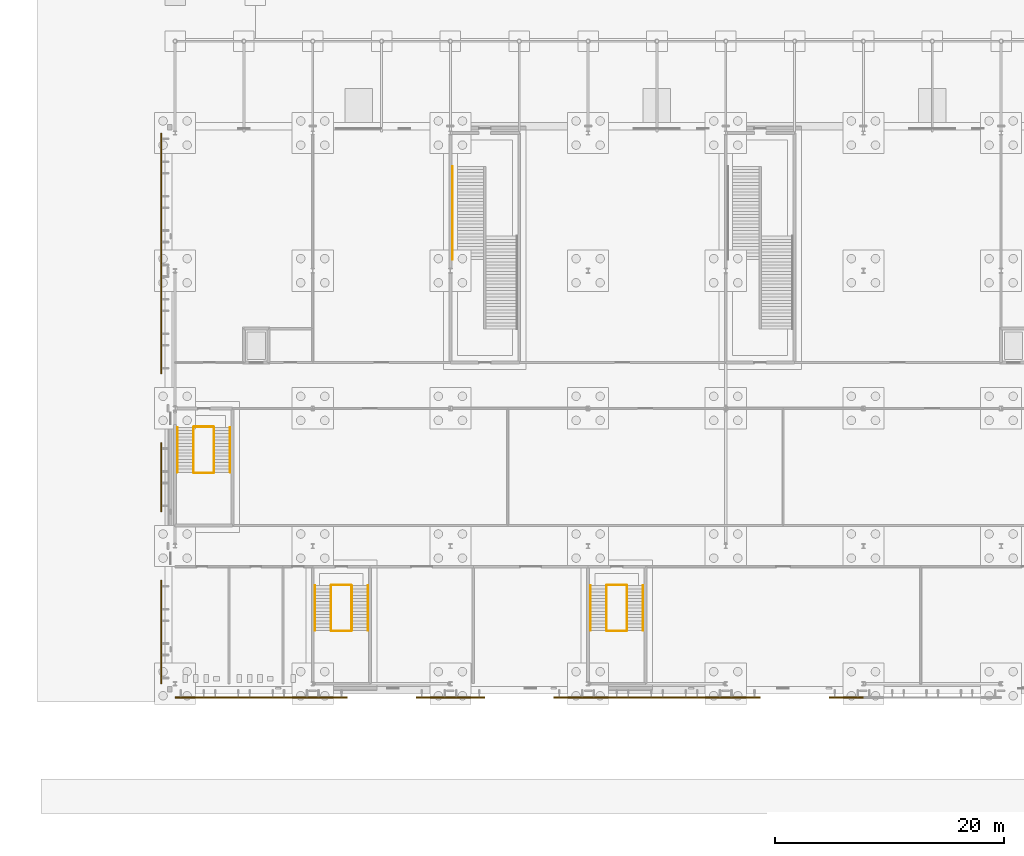
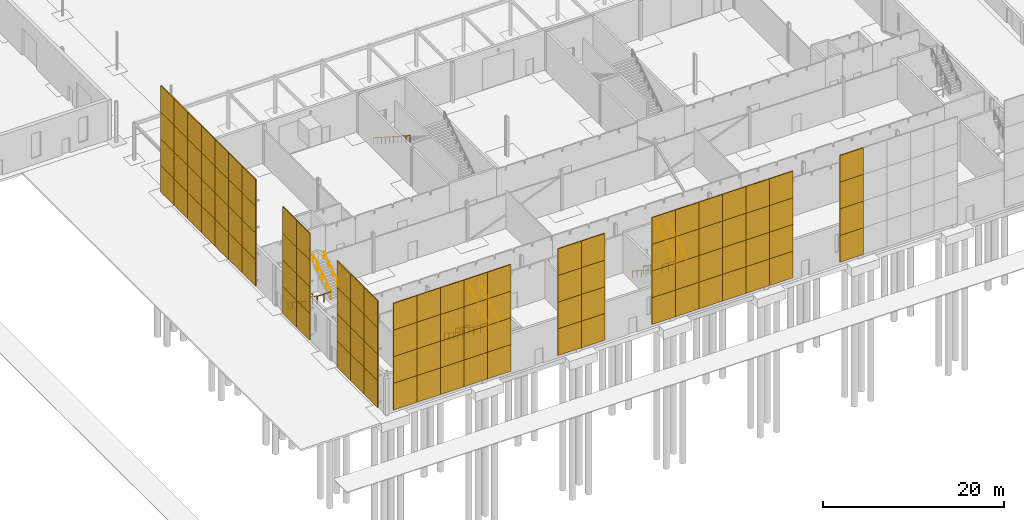
# One storey, part 122 of 132: 104 shading devices, 19 railings.
"""IFC4 building model written with IfcOpenShell, lengths in metres."""

from ifc_helpers import new_model, si_unit, direction, frame, origin, origin_2d, place, context, subcontext, project, spatial, rectangle, circle, extrude, material, layer, layer_set, type_object, element, save


model = new_model("IFC4")

# Units and contexts
model_context = context("Model", 3, precision=1e-05, world=origin(), true_north=direction((0.0, 1.0)))
body_context = subcontext(model_context, "Body", "Model", "MODEL_VIEW")
ifc_project = project(units=[si_unit("LENGTHUNIT", "METRE"), si_unit("AREAUNIT", "SQUARE_METRE"), si_unit("VOLUMEUNIT", "CUBIC_METRE"), si_unit("PLANEANGLEUNIT", "RADIAN"), si_unit("MASSUNIT", "GRAM", prefix="KILO")], contexts=[model_context])

# Site, building, storey
site_placement = place(None, origin())
site = spatial("IfcSite", under=ifc_project, at=site_placement, CompositionType="ELEMENT")
building_placement = place(site_placement, origin())
building = spatial("IfcBuilding", under=site, at=building_placement, Name="Ravi Spectrum Wholesale Market", CompositionType="ELEMENT")
storey_placement = place(building_placement, origin())
storey = spatial("IfcBuildingStorey", under=building, at=storey_placement, Name="L00", CompositionType="ELEMENT", Elevation=0.0)

# Railings
ifc_material_1 = material(Name="Steel S355", Category="steel")
railing_type_1 = type_object("IfcRailingType", Name="Guard 1100", PredefinedType="GUARDRAIL", material=ifc_material_1)
railing_1_placement = place(storey_placement, frame((199.60009765625, 40.35009765625, 0.179931640625)))
element("IfcRailing", 1, at=railing_1_placement, inside=storey, type_object=railing_type_1, Name="L00 S-CS-1 stair guard 1", PredefinedType="GUARDRAIL", context=body_context, shape_type="SweptSolid", body=[
    extrude(circle(Radius=0.02392578125, at=origin_2d()), frame((0.0, 0.0, 1.076171875), z_axis=(0.0, -0.841186985886, 0.540744352514), x_axis=(1.0, 0.0, 0.0)), (0.0, 0.0, 1.0), 4.660400390625),
    extrude(circle(Radius=0.02099609375, at=origin_2d()), origin(), (0.0, 0.0, 1.0), 1.052001953125),
    extrude(circle(Radius=0.02099609375, at=origin_2d()), frame((0.0, -0.97998046875, 0.6298828125)), (0.0, 0.0, 1.0), 1.052001953125),
    extrude(circle(Radius=0.02099609375, at=origin_2d()), frame((0.0, -1.9599609375, 1.260009765625)), (0.0, 0.0, 1.0), 1.052001953125),
    extrude(circle(Radius=0.02099609375, at=origin_2d()), frame((0.0, -2.940185546875, 1.89013671875)), (0.0, 0.0, 1.0), 1.052001953125),
    extrude(circle(Radius=0.02099609375, at=origin_2d()), frame((0.0, -3.920166015625, 2.52001953125)), (0.0, 0.0, 1.0), 1.052001953125),
])
railing_2_placement = place(storey_placement, frame((199.64990234375, 36.3798828125, 2.699951171875)))
element("IfcRailing", 2, at=railing_2_placement, inside=storey, type_object=railing_type_1, Name="L00 S-CS-1 stair guard 2", PredefinedType="GUARDRAIL", context=body_context, shape_type="SweptSolid", body=[
    extrude(circle(Radius=0.02392578125, at=origin_2d()), frame((0.0, 0.0, 1.076171875), z_axis=(1.0, 0.0, 0.0), x_axis=(0.0, 1.0, 0.0)), (0.0, 0.0, 1.0), 1.7001953125),
    extrude(circle(Radius=0.02099609375, at=origin_2d()), origin(), (0.0, 0.0, 1.0), 1.052001953125),
    extrude(circle(Radius=0.02099609375, at=origin_2d()), frame((0.85009765625, 0.0, 0.0)), (0.0, 0.0, 1.0), 1.052001953125),
    extrude(circle(Radius=0.02099609375, at=origin_2d()), frame((1.7001953125, 0.0, 0.0)), (0.0, 0.0, 1.0), 1.052001953125),
])
railing_3_placement = place(storey_placement, frame((201.39990234375, 36.429931640625, 2.8798828125)))
element("IfcRailing", 3, at=railing_3_placement, inside=storey, type_object=railing_type_1, Name="L00 S-CS-1 stair guard 3", PredefinedType="GUARDRAIL", context=body_context, shape_type="SweptSolid", body=[
    extrude(circle(Radius=0.02392578125, at=origin_2d()), frame((0.0, 0.0, 1.076171875), z_axis=(0.0, 0.841186985886, 0.540744352514), x_axis=(-1.0, 0.0, 0.0)), (0.0, 0.0, 1.0), 4.660400390625),
    extrude(circle(Radius=0.02099609375, at=origin_2d()), origin(), (0.0, 0.0, 1.0), 1.052001953125),
    extrude(circle(Radius=0.02099609375, at=origin_2d()), frame((0.0, 0.97998046875, 0.6298828125)), (0.0, 0.0, 1.0), 1.052001953125),
    extrude(circle(Radius=0.02099609375, at=origin_2d()), frame((0.0, 1.9599609375, 1.260009765625)), (0.0, 0.0, 1.0), 1.052001953125),
    extrude(circle(Radius=0.02099609375, at=origin_2d()), frame((0.0, 2.940185546875, 1.89013671875)), (0.0, 0.0, 1.0), 1.052001953125),
    extrude(circle(Radius=0.02099609375, at=origin_2d()), frame((0.0, 3.920166015625, 2.52001953125)), (0.0, 0.0, 1.0), 1.052001953125),
])
railing_4_placement = place(storey_placement, frame((199.64990234375, 40.39990234375, 0.0)))
element("IfcRailing", 4, at=railing_4_placement, inside=storey, type_object=railing_type_1, Name="L00 S-CS-1 stair guard 4", PredefinedType="GUARDRAIL", context=body_context, shape_type="SweptSolid", body=[
    extrude(circle(Radius=0.02392578125, at=origin_2d()), frame((0.0, 0.0, 1.076171875), z_axis=(1.0, 0.0, 0.0), x_axis=(0.0, 1.0, 0.0)), (0.0, 0.0, 1.0), 1.7001953125),
    extrude(circle(Radius=0.02099609375, at=origin_2d()), origin(), (0.0, 0.0, 1.0), 1.052001953125),
    extrude(circle(Radius=0.02099609375, at=origin_2d()), frame((0.85009765625, 0.0, 0.0)), (0.0, 0.0, 1.0), 1.052001953125),
    extrude(circle(Radius=0.02099609375, at=origin_2d()), frame((1.7001953125, 0.0, 0.0)), (0.0, 0.0, 1.0), 1.052001953125),
])
railing_5_placement = place(storey_placement, frame((235.60009765625, 26.550048828125, 0.179931640625)))
element("IfcRailing", 5, at=railing_5_placement, inside=storey, type_object=railing_type_1, Name="L00 S-CS-4 stair guard 1", PredefinedType="GUARDRAIL", context=body_context, shape_type="SweptSolid", body=[
    extrude(circle(Radius=0.02392578125, at=origin_2d()), frame((0.0, 0.0, 1.076171875), z_axis=(0.0, -0.841186985886, 0.540744352514), x_axis=(1.0, 0.0, 0.0)), (0.0, 0.0, 1.0), 4.660400390625),
    extrude(circle(Radius=0.02099609375, at=origin_2d()), origin(), (0.0, 0.0, 1.0), 1.052001953125),
    extrude(circle(Radius=0.02099609375, at=origin_2d()), frame((0.0, -0.97998046875, 0.6298828125)), (0.0, 0.0, 1.0), 1.052001953125),
    extrude(circle(Radius=0.02099609375, at=origin_2d()), frame((0.0, -1.9599609375, 1.260009765625)), (0.0, 0.0, 1.0), 1.052001953125),
    extrude(circle(Radius=0.02099609375, at=origin_2d()), frame((0.0, -2.940185546875, 1.89013671875)), (0.0, 0.0, 1.0), 1.052001953125),
    extrude(circle(Radius=0.02099609375, at=origin_2d()), frame((0.0, -3.920166015625, 2.52001953125)), (0.0, 0.0, 1.0), 1.052001953125),
])
railing_6_placement = place(storey_placement, frame((235.64990234375, 22.580078125, 2.699951171875)))
element("IfcRailing", 6, at=railing_6_placement, inside=storey, type_object=railing_type_1, Name="L00 S-CS-4 stair guard 2", PredefinedType="GUARDRAIL", context=body_context, shape_type="SweptSolid", body=[
    extrude(circle(Radius=0.02392578125, at=origin_2d()), frame((0.0, 0.0, 1.076171875), z_axis=(1.0, 0.0, 0.0), x_axis=(0.0, 1.0, 0.0)), (0.0, 0.0, 1.0), 1.7001953125),
    extrude(circle(Radius=0.02099609375, at=origin_2d()), origin(), (0.0, 0.0, 1.0), 1.052001953125),
    extrude(circle(Radius=0.02099609375, at=origin_2d()), frame((0.85009765625, 0.0, 0.0)), (0.0, 0.0, 1.0), 1.052001953125),
    extrude(circle(Radius=0.02099609375, at=origin_2d()), frame((1.7001953125, 0.0, 0.0)), (0.0, 0.0, 1.0), 1.052001953125),
])
railing_7_placement = place(storey_placement, frame((237.39990234375, 22.6298828125, 2.8798828125)))
element("IfcRailing", 7, at=railing_7_placement, inside=storey, type_object=railing_type_1, Name="L00 S-CS-4 stair guard 3", PredefinedType="GUARDRAIL", context=body_context, shape_type="SweptSolid", body=[
    extrude(circle(Radius=0.02392578125, at=origin_2d()), frame((0.0, 0.0, 1.076171875), z_axis=(0.0, 0.841186985886, 0.540744352514), x_axis=(-1.0, 0.0, 0.0)), (0.0, 0.0, 1.0), 4.660400390625),
    extrude(circle(Radius=0.02099609375, at=origin_2d()), origin(), (0.0, 0.0, 1.0), 1.052001953125),
    extrude(circle(Radius=0.02099609375, at=origin_2d()), frame((0.0, 0.97998046875, 0.6298828125)), (0.0, 0.0, 1.0), 1.052001953125),
    extrude(circle(Radius=0.02099609375, at=origin_2d()), frame((0.0, 1.9599609375, 1.260009765625)), (0.0, 0.0, 1.0), 1.052001953125),
    extrude(circle(Radius=0.02099609375, at=origin_2d()), frame((0.0, 2.940185546875, 1.89013671875)), (0.0, 0.0, 1.0), 1.052001953125),
    extrude(circle(Radius=0.02099609375, at=origin_2d()), frame((0.0, 3.920166015625, 2.52001953125)), (0.0, 0.0, 1.0), 1.052001953125),
])
railing_8_placement = place(storey_placement, frame((235.64990234375, 26.60009765625, 0.0)))
element("IfcRailing", 8, at=railing_8_placement, inside=storey, type_object=railing_type_1, Name="L00 S-CS-4 stair guard 4", PredefinedType="GUARDRAIL", context=body_context, shape_type="SweptSolid", body=[
    extrude(circle(Radius=0.02392578125, at=origin_2d()), frame((0.0, 0.0, 1.076171875), z_axis=(1.0, 0.0, 0.0), x_axis=(0.0, 1.0, 0.0)), (0.0, 0.0, 1.0), 1.7001953125),
    extrude(circle(Radius=0.02099609375, at=origin_2d()), origin(), (0.0, 0.0, 1.0), 1.052001953125),
    extrude(circle(Radius=0.02099609375, at=origin_2d()), frame((0.85009765625, 0.0, 0.0)), (0.0, 0.0, 1.0), 1.052001953125),
    extrude(circle(Radius=0.02099609375, at=origin_2d()), frame((1.7001953125, 0.0, 0.0)), (0.0, 0.0, 1.0), 1.052001953125),
])
railing_9_placement = place(storey_placement, frame((211.60009765625, 26.550048828125, 0.179931640625)))
element("IfcRailing", 9, at=railing_9_placement, inside=storey, type_object=railing_type_1, Name="L00 S-CS-6 stair guard 1", PredefinedType="GUARDRAIL", context=body_context, shape_type="SweptSolid", body=[
    extrude(circle(Radius=0.02392578125, at=origin_2d()), frame((0.0, 0.0, 1.076171875), z_axis=(0.0, -0.841186985886, 0.540744352514), x_axis=(1.0, 0.0, 0.0)), (0.0, 0.0, 1.0), 4.660400390625),
    extrude(circle(Radius=0.02099609375, at=origin_2d()), origin(), (0.0, 0.0, 1.0), 1.052001953125),
    extrude(circle(Radius=0.02099609375, at=origin_2d()), frame((0.0, -0.97998046875, 0.6298828125)), (0.0, 0.0, 1.0), 1.052001953125),
    extrude(circle(Radius=0.02099609375, at=origin_2d()), frame((0.0, -1.9599609375, 1.260009765625)), (0.0, 0.0, 1.0), 1.052001953125),
    extrude(circle(Radius=0.02099609375, at=origin_2d()), frame((0.0, -2.940185546875, 1.89013671875)), (0.0, 0.0, 1.0), 1.052001953125),
    extrude(circle(Radius=0.02099609375, at=origin_2d()), frame((0.0, -3.920166015625, 2.52001953125)), (0.0, 0.0, 1.0), 1.052001953125),
])
railing_10_placement = place(storey_placement, frame((211.64990234375, 22.580078125, 2.699951171875)))
element("IfcRailing", 10, at=railing_10_placement, inside=storey, type_object=railing_type_1, Name="L00 S-CS-6 stair guard 2", PredefinedType="GUARDRAIL", context=body_context, shape_type="SweptSolid", body=[
    extrude(circle(Radius=0.02392578125, at=origin_2d()), frame((0.0, 0.0, 1.076171875), z_axis=(1.0, 0.0, 0.0), x_axis=(0.0, 1.0, 0.0)), (0.0, 0.0, 1.0), 1.7001953125),
    extrude(circle(Radius=0.02099609375, at=origin_2d()), origin(), (0.0, 0.0, 1.0), 1.052001953125),
    extrude(circle(Radius=0.02099609375, at=origin_2d()), frame((0.85009765625, 0.0, 0.0)), (0.0, 0.0, 1.0), 1.052001953125),
    extrude(circle(Radius=0.02099609375, at=origin_2d()), frame((1.7001953125, 0.0, 0.0)), (0.0, 0.0, 1.0), 1.052001953125),
])
railing_11_placement = place(storey_placement, frame((213.39990234375, 22.6298828125, 2.8798828125)))
element("IfcRailing", 11, at=railing_11_placement, inside=storey, type_object=railing_type_1, Name="L00 S-CS-6 stair guard 3", PredefinedType="GUARDRAIL", context=body_context, shape_type="SweptSolid", body=[
    extrude(circle(Radius=0.02392578125, at=origin_2d()), frame((0.0, 0.0, 1.076171875), z_axis=(0.0, 0.841186985886, 0.540744352514), x_axis=(-1.0, 0.0, 0.0)), (0.0, 0.0, 1.0), 4.660400390625),
    extrude(circle(Radius=0.02099609375, at=origin_2d()), origin(), (0.0, 0.0, 1.0), 1.052001953125),
    extrude(circle(Radius=0.02099609375, at=origin_2d()), frame((0.0, 0.97998046875, 0.6298828125)), (0.0, 0.0, 1.0), 1.052001953125),
    extrude(circle(Radius=0.02099609375, at=origin_2d()), frame((0.0, 1.9599609375, 1.260009765625)), (0.0, 0.0, 1.0), 1.052001953125),
    extrude(circle(Radius=0.02099609375, at=origin_2d()), frame((0.0, 2.940185546875, 1.89013671875)), (0.0, 0.0, 1.0), 1.052001953125),
    extrude(circle(Radius=0.02099609375, at=origin_2d()), frame((0.0, 3.920166015625, 2.52001953125)), (0.0, 0.0, 1.0), 1.052001953125),
])
railing_12_placement = place(storey_placement, frame((211.64990234375, 26.60009765625, 0.0)))
element("IfcRailing", 12, at=railing_12_placement, inside=storey, type_object=railing_type_1, Name="L00 S-CS-6 stair guard 4", PredefinedType="GUARDRAIL", context=body_context, shape_type="SweptSolid", body=[
    extrude(circle(Radius=0.02392578125, at=origin_2d()), frame((0.0, 0.0, 1.076171875), z_axis=(1.0, 0.0, 0.0), x_axis=(0.0, 1.0, 0.0)), (0.0, 0.0, 1.0), 1.7001953125),
    extrude(circle(Radius=0.02099609375, at=origin_2d()), origin(), (0.0, 0.0, 1.0), 1.052001953125),
    extrude(circle(Radius=0.02099609375, at=origin_2d()), frame((0.85009765625, 0.0, 0.0)), (0.0, 0.0, 1.0), 1.052001953125),
    extrude(circle(Radius=0.02099609375, at=origin_2d()), frame((1.7001953125, 0.0, 0.0)), (0.0, 0.0, 1.0), 1.052001953125),
])
ifc_material_2 = material(Name="Stainless steel", Category="steel")
railing_type_2 = type_object("IfcRailingType", Name="Handrail 900", PredefinedType="HANDRAIL", material=ifc_material_2)
railing_13_placement = place(storey_placement, frame((198.199951171875, 40.35009765625, 0.179931640625)))
element("IfcRailing", 13, at=railing_13_placement, inside=storey, type_object=railing_type_2, Name="L00 S-CS-1 stair handrail 1", PredefinedType="HANDRAIL", context=body_context, shape_type="SweptSolid", body=[
    extrude(circle(Radius=0.02392578125, at=origin_2d()), frame((0.0, 0.0, 0.8759765625), z_axis=(0.0, -0.841186985886, 0.540744352514), x_axis=(1.0, 0.0, 0.0)), (0.0, 0.0, 1.0), 4.660400390625),
    extrude(circle(Radius=0.02099609375, at=origin_2d()), origin(), (0.0, 0.0, 1.0), 0.851806640625),
    extrude(circle(Radius=0.02099609375, at=origin_2d()), frame((0.0, -0.97998046875, 0.6298828125)), (0.0, 0.0, 1.0), 0.851806640625),
    extrude(circle(Radius=0.02099609375, at=origin_2d()), frame((0.0, -1.9599609375, 1.260009765625)), (0.0, 0.0, 1.0), 0.851806640625),
    extrude(circle(Radius=0.02099609375, at=origin_2d()), frame((0.0, -2.940185546875, 1.89013671875)), (0.0, 0.0, 1.0), 0.851806640625),
    extrude(circle(Radius=0.02099609375, at=origin_2d()), frame((0.0, -3.920166015625, 2.52001953125)), (0.0, 0.0, 1.0), 0.851806640625),
])
railing_14_placement = place(storey_placement, frame((202.800048828125, 36.429931640625, 2.8798828125)))
element("IfcRailing", 14, at=railing_14_placement, inside=storey, type_object=railing_type_2, Name="L00 S-CS-1 stair handrail 2", PredefinedType="HANDRAIL", context=body_context, shape_type="SweptSolid", body=[
    extrude(circle(Radius=0.02392578125, at=origin_2d()), frame((0.0, 0.0, 0.8759765625), z_axis=(0.0, 0.841186985886, 0.540744352514), x_axis=(-1.0, 0.0, 0.0)), (0.0, 0.0, 1.0), 4.660400390625),
    extrude(circle(Radius=0.02099609375, at=origin_2d()), origin(), (0.0, 0.0, 1.0), 0.851806640625),
    extrude(circle(Radius=0.02099609375, at=origin_2d()), frame((0.0, 0.97998046875, 0.6298828125)), (0.0, 0.0, 1.0), 0.851806640625),
    extrude(circle(Radius=0.02099609375, at=origin_2d()), frame((0.0, 1.9599609375, 1.260009765625)), (0.0, 0.0, 1.0), 0.851806640625),
    extrude(circle(Radius=0.02099609375, at=origin_2d()), frame((0.0, 2.940185546875, 1.89013671875)), (0.0, 0.0, 1.0), 0.851806640625),
    extrude(circle(Radius=0.02099609375, at=origin_2d()), frame((0.0, 3.920166015625, 2.52001953125)), (0.0, 0.0, 1.0), 0.851806640625),
])
railing_15_placement = place(storey_placement, frame((222.199951171875, 63.10009765625, 0.179931640625)))
element("IfcRailing", 15, at=railing_15_placement, inside=storey, type_object=railing_type_2, Name="L00 S-CS-3 stair handrail 1", PredefinedType="HANDRAIL", context=body_context, shape_type="SweptSolid", body=[
    extrude(circle(Radius=0.02392578125, at=origin_2d()), frame((0.0, 0.0, 0.8759765625), z_axis=(0.0, -0.841183405745, 0.540749921775), x_axis=(1.0, 0.0, 0.0)), (0.0, 0.0, 1.0), 9.6533203125),
    extrude(circle(Radius=0.02099609375, at=origin_2d()), origin(), (0.0, 0.0, 1.0), 0.851806640625),
    extrude(circle(Radius=0.02099609375, at=origin_2d()), frame((0.0, -0.90234375, 0.580078125)), (0.0, 0.0, 1.0), 0.851806640625),
    extrude(circle(Radius=0.02099609375, at=origin_2d()), frame((0.0, -1.804443359375, 1.159912109375)), (0.0, 0.0, 1.0), 0.851806640625),
    extrude(circle(Radius=0.02099609375, at=origin_2d()), frame((0.0, -2.706787109375, 1.739990234375)), (0.0, 0.0, 1.0), 0.851806640625),
    extrude(circle(Radius=0.02099609375, at=origin_2d()), frame((0.0, -3.60888671875, 2.320068359375)), (0.0, 0.0, 1.0), 0.851806640625),
    extrude(circle(Radius=0.02099609375, at=origin_2d()), frame((0.0, -4.51123046875, 2.89990234375)), (0.0, 0.0, 1.0), 0.851806640625),
    extrude(circle(Radius=0.02099609375, at=origin_2d()), frame((0.0, -5.413330078125, 3.47998046875)), (0.0, 0.0, 1.0), 0.851806640625),
    extrude(circle(Radius=0.02099609375, at=origin_2d()), frame((0.0, -6.315673828125, 4.06005859375)), (0.0, 0.0, 1.0), 0.851806640625),
    extrude(circle(Radius=0.02099609375, at=origin_2d()), frame((0.0, -7.2177734375, 4.639892578125)), (0.0, 0.0, 1.0), 0.851806640625),
    extrude(circle(Radius=0.02099609375, at=origin_2d()), frame((0.0, -8.1201171875, 5.219970703125)), (0.0, 0.0, 1.0), 0.851806640625),
])
railing_16_placement = place(storey_placement, frame((234.199951171875, 26.550048828125, 0.179931640625)))
element("IfcRailing", 16, at=railing_16_placement, inside=storey, type_object=railing_type_2, Name="L00 S-CS-4 stair handrail 1", PredefinedType="HANDRAIL", context=body_context, shape_type="SweptSolid", body=[
    extrude(circle(Radius=0.02392578125, at=origin_2d()), frame((0.0, 0.0, 0.8759765625), z_axis=(0.0, -0.841186985886, 0.540744352514), x_axis=(1.0, 0.0, 0.0)), (0.0, 0.0, 1.0), 4.660400390625),
    extrude(circle(Radius=0.02099609375, at=origin_2d()), origin(), (0.0, 0.0, 1.0), 0.851806640625),
    extrude(circle(Radius=0.02099609375, at=origin_2d()), frame((0.0, -0.97998046875, 0.6298828125)), (0.0, 0.0, 1.0), 0.851806640625),
    extrude(circle(Radius=0.02099609375, at=origin_2d()), frame((0.0, -1.9599609375, 1.260009765625)), (0.0, 0.0, 1.0), 0.851806640625),
    extrude(circle(Radius=0.02099609375, at=origin_2d()), frame((0.0, -2.940185546875, 1.89013671875)), (0.0, 0.0, 1.0), 0.851806640625),
    extrude(circle(Radius=0.02099609375, at=origin_2d()), frame((0.0, -3.920166015625, 2.52001953125)), (0.0, 0.0, 1.0), 0.851806640625),
])
railing_17_placement = place(storey_placement, frame((238.800048828125, 22.6298828125, 2.8798828125)))
element("IfcRailing", 17, at=railing_17_placement, inside=storey, type_object=railing_type_2, Name="L00 S-CS-4 stair handrail 2", PredefinedType="HANDRAIL", context=body_context, shape_type="SweptSolid", body=[
    extrude(circle(Radius=0.02392578125, at=origin_2d()), frame((0.0, 0.0, 0.8759765625), z_axis=(0.0, 0.841186985886, 0.540744352514), x_axis=(-1.0, 0.0, 0.0)), (0.0, 0.0, 1.0), 4.660400390625),
    extrude(circle(Radius=0.02099609375, at=origin_2d()), origin(), (0.0, 0.0, 1.0), 0.851806640625),
    extrude(circle(Radius=0.02099609375, at=origin_2d()), frame((0.0, 0.97998046875, 0.6298828125)), (0.0, 0.0, 1.0), 0.851806640625),
    extrude(circle(Radius=0.02099609375, at=origin_2d()), frame((0.0, 1.9599609375, 1.260009765625)), (0.0, 0.0, 1.0), 0.851806640625),
    extrude(circle(Radius=0.02099609375, at=origin_2d()), frame((0.0, 2.940185546875, 1.89013671875)), (0.0, 0.0, 1.0), 0.851806640625),
    extrude(circle(Radius=0.02099609375, at=origin_2d()), frame((0.0, 3.920166015625, 2.52001953125)), (0.0, 0.0, 1.0), 0.851806640625),
])
railing_18_placement = place(storey_placement, frame((210.199951171875, 26.550048828125, 0.179931640625)))
element("IfcRailing", 18, at=railing_18_placement, inside=storey, type_object=railing_type_2, Name="L00 S-CS-6 stair handrail 1", PredefinedType="HANDRAIL", context=body_context, shape_type="SweptSolid", body=[
    extrude(circle(Radius=0.02392578125, at=origin_2d()), frame((0.0, 0.0, 0.8759765625), z_axis=(0.0, -0.841186985886, 0.540744352514), x_axis=(1.0, 0.0, 0.0)), (0.0, 0.0, 1.0), 4.660400390625),
    extrude(circle(Radius=0.02099609375, at=origin_2d()), origin(), (0.0, 0.0, 1.0), 0.851806640625),
    extrude(circle(Radius=0.02099609375, at=origin_2d()), frame((0.0, -0.97998046875, 0.6298828125)), (0.0, 0.0, 1.0), 0.851806640625),
    extrude(circle(Radius=0.02099609375, at=origin_2d()), frame((0.0, -1.9599609375, 1.260009765625)), (0.0, 0.0, 1.0), 0.851806640625),
    extrude(circle(Radius=0.02099609375, at=origin_2d()), frame((0.0, -2.940185546875, 1.89013671875)), (0.0, 0.0, 1.0), 0.851806640625),
    extrude(circle(Radius=0.02099609375, at=origin_2d()), frame((0.0, -3.920166015625, 2.52001953125)), (0.0, 0.0, 1.0), 0.851806640625),
])
railing_19_placement = place(storey_placement, frame((214.800048828125, 22.6298828125, 2.8798828125)))
element("IfcRailing", 19, at=railing_19_placement, inside=storey, type_object=railing_type_2, Name="L00 S-CS-6 stair handrail 2", PredefinedType="HANDRAIL", context=body_context, shape_type="SweptSolid", body=[
    extrude(circle(Radius=0.02392578125, at=origin_2d()), frame((0.0, 0.0, 0.8759765625), z_axis=(0.0, 0.841186985886, 0.540744352514), x_axis=(-1.0, 0.0, 0.0)), (0.0, 0.0, 1.0), 4.660400390625),
    extrude(circle(Radius=0.02099609375, at=origin_2d()), origin(), (0.0, 0.0, 1.0), 0.851806640625),
    extrude(circle(Radius=0.02099609375, at=origin_2d()), frame((0.0, 0.97998046875, 0.6298828125)), (0.0, 0.0, 1.0), 0.851806640625),
    extrude(circle(Radius=0.02099609375, at=origin_2d()), frame((0.0, 1.9599609375, 1.260009765625)), (0.0, 0.0, 1.0), 0.851806640625),
    extrude(circle(Radius=0.02099609375, at=origin_2d()), frame((0.0, 2.940185546875, 1.89013671875)), (0.0, 0.0, 1.0), 0.851806640625),
    extrude(circle(Radius=0.02099609375, at=origin_2d()), frame((0.0, 3.920166015625, 2.52001953125)), (0.0, 0.0, 1.0), 0.851806640625),
])

# Shading devices
ifc_material_3 = material(Name="Perforated clinker brickwork", Category="masonry")
ifc_layer = layer(ifc_material_3, 0.114990234375)
ifc_layer_set = layer_set([ifc_layer], Name="Perforated clinker brickwork")
shading_device_type = type_object("IfcShadingDeviceType", Name="Jali brick screen panel 3000 x 3600 x 115", PredefinedType="USERDEFINED", material=ifc_layer_set)
for number, where, z_axis, x_axis, name in (
    (20, (199.5, 16.79248046875, 0.89990234375), (0.0, 0.0, 1.0), (1.0, 0.0, 0.0), "Jali screen"),
    (21, (199.5, 16.79248046875, 4.5), (0.0, 0.0, 1.0), (1.0, 0.0, 0.0), "Jali screen"),
    (22, (199.5, 16.79248046875, 8.099853515625), (0.0, 0.0, 1.0), (1.0, 0.0, 0.0), "Jali screen"),
    (23, (199.5, 16.79248046875, 11.699951171875), (0.0, 0.0, 1.0), (1.0, 0.0, 0.0), "Jali screen"),
    (24, (202.5, 16.79248046875, 0.89990234375), (0.0, 0.0, 1.0), (1.0, 0.0, 0.0), "Jali screen"),
    (25, (202.5, 16.79248046875, 4.5), (0.0, 0.0, 1.0), (1.0, 0.0, 0.0), "Jali screen"),
    (26, (202.5, 16.79248046875, 8.099853515625), (0.0, 0.0, 1.0), (1.0, 0.0, 0.0), "Jali screen"),
    (27, (202.5, 16.79248046875, 11.699951171875), (0.0, 0.0, 1.0), (1.0, 0.0, 0.0), "Jali screen"),
    (28, (205.5, 16.79248046875, 0.89990234375), (0.0, 0.0, 1.0), (1.0, 0.0, 0.0), "Jali screen"),
    (29, (205.5, 16.79248046875, 4.5), (0.0, 0.0, 1.0), (1.0, 0.0, 0.0), "Jali screen"),
    (30, (205.5, 16.79248046875, 8.099853515625), (0.0, 0.0, 1.0), (1.0, 0.0, 0.0), "Jali screen"),
    (31, (205.5, 16.79248046875, 11.699951171875), (0.0, 0.0, 1.0), (1.0, 0.0, 0.0), "Jali screen"),
    (32, (208.5, 16.79248046875, 0.89990234375), (0.0, 0.0, 1.0), (1.0, 0.0, 0.0), "Jali screen"),
    (33, (208.5, 16.79248046875, 4.5), (0.0, 0.0, 1.0), (1.0, 0.0, 0.0), "Jali screen"),
    (34, (208.5, 16.79248046875, 8.099853515625), (0.0, 0.0, 1.0), (1.0, 0.0, 0.0), "Jali screen"),
    (35, (208.5, 16.79248046875, 11.699951171875), (0.0, 0.0, 1.0), (1.0, 0.0, 0.0), "Jali screen"),
    (36, (211.5, 16.79248046875, 0.89990234375), (0.0, 0.0, 1.0), (1.0, 0.0, 0.0), "Jali screen"),
    (37, (211.5, 16.79248046875, 4.5), (0.0, 0.0, 1.0), (1.0, 0.0, 0.0), "Jali screen"),
    (38, (211.5, 16.79248046875, 8.099853515625), (0.0, 0.0, 1.0), (1.0, 0.0, 0.0), "Jali screen"),
    (39, (211.5, 16.79248046875, 11.699951171875), (0.0, 0.0, 1.0), (1.0, 0.0, 0.0), "Jali screen"),
    (40, (220.5, 16.79248046875, 0.89990234375), (0.0, 0.0, 1.0), (1.0, 0.0, 0.0), "Jali screen"),
    (41, (220.5, 16.79248046875, 4.5), (0.0, 0.0, 1.0), (1.0, 0.0, 0.0), "Jali screen"),
    (42, (220.5, 16.79248046875, 8.099853515625), (0.0, 0.0, 1.0), (1.0, 0.0, 0.0), "Jali screen"),
    (43, (220.5, 16.79248046875, 11.699951171875), (0.0, 0.0, 1.0), (1.0, 0.0, 0.0), "Jali screen"),
    (44, (223.5, 16.79248046875, 0.89990234375), (0.0, 0.0, 1.0), (1.0, 0.0, 0.0), "Jali screen"),
    (45, (223.5, 16.79248046875, 4.5), (0.0, 0.0, 1.0), (1.0, 0.0, 0.0), "Jali screen"),
    (46, (223.5, 16.79248046875, 8.099853515625), (0.0, 0.0, 1.0), (1.0, 0.0, 0.0), "Jali screen"),
    (47, (223.5, 16.79248046875, 11.699951171875), (0.0, 0.0, 1.0), (1.0, 0.0, 0.0), "Jali screen"),
    (48, (232.5, 16.79248046875, 0.89990234375), (0.0, 0.0, 1.0), (1.0, 0.0, 0.0), "Jali screen"),
    (49, (232.5, 16.79248046875, 4.5), (0.0, 0.0, 1.0), (1.0, 0.0, 0.0), "Jali screen"),
    (50, (232.5, 16.79248046875, 8.099853515625), (0.0, 0.0, 1.0), (1.0, 0.0, 0.0), "Jali screen"),
    (51, (232.5, 16.79248046875, 11.699951171875), (0.0, 0.0, 1.0), (1.0, 0.0, 0.0), "Jali screen"),
    (52, (235.5, 16.79248046875, 0.89990234375), (0.0, 0.0, 1.0), (1.0, 0.0, 0.0), "Jali screen"),
    (53, (235.5, 16.79248046875, 4.5), (0.0, 0.0, 1.0), (1.0, 0.0, 0.0), "Jali screen"),
    (54, (235.5, 16.79248046875, 8.099853515625), (0.0, 0.0, 1.0), (1.0, 0.0, 0.0), "Jali screen"),
    (55, (235.5, 16.79248046875, 11.699951171875), (0.0, 0.0, 1.0), (1.0, 0.0, 0.0), "Jali screen"),
    (56, (238.5, 16.79248046875, 0.89990234375), (0.0, 0.0, 1.0), (1.0, 0.0, 0.0), "Jali screen"),
    (57, (238.5, 16.79248046875, 4.5), (0.0, 0.0, 1.0), (1.0, 0.0, 0.0), "Jali screen"),
    (58, (238.5, 16.79248046875, 8.099853515625), (0.0, 0.0, 1.0), (1.0, 0.0, 0.0), "Jali screen"),
    (59, (238.5, 16.79248046875, 11.699951171875), (0.0, 0.0, 1.0), (1.0, 0.0, 0.0), "Jali screen"),
    (60, (241.5, 16.79248046875, 0.89990234375), (0.0, 0.0, 1.0), (1.0, 0.0, 0.0), "Jali screen"),
    (61, (241.5, 16.79248046875, 4.5), (0.0, 0.0, 1.0), (1.0, 0.0, 0.0), "Jali screen"),
    (62, (241.5, 16.79248046875, 8.099853515625), (0.0, 0.0, 1.0), (1.0, 0.0, 0.0), "Jali screen"),
    (63, (241.5, 16.79248046875, 11.699951171875), (0.0, 0.0, 1.0), (1.0, 0.0, 0.0), "Jali screen"),
    (64, (244.5, 16.79248046875, 0.89990234375), (0.0, 0.0, 1.0), (1.0, 0.0, 0.0), "Jali screen"),
    (65, (244.5, 16.79248046875, 4.5), (0.0, 0.0, 1.0), (1.0, 0.0, 0.0), "Jali screen"),
    (66, (244.5, 16.79248046875, 8.099853515625), (0.0, 0.0, 1.0), (1.0, 0.0, 0.0), "Jali screen"),
    (67, (244.5, 16.79248046875, 11.699951171875), (0.0, 0.0, 1.0), (1.0, 0.0, 0.0), "Jali screen"),
    (68, (247.5, 16.79248046875, 0.89990234375), (0.0, 0.0, 1.0), (1.0, 0.0, 0.0), "Jali screen"),
    (69, (247.5, 16.79248046875, 4.5), (0.0, 0.0, 1.0), (1.0, 0.0, 0.0), "Jali screen"),
    (70, (247.5, 16.79248046875, 8.099853515625), (0.0, 0.0, 1.0), (1.0, 0.0, 0.0), "Jali screen"),
    (71, (247.5, 16.79248046875, 11.699951171875), (0.0, 0.0, 1.0), (1.0, 0.0, 0.0), "Jali screen"),
    (72, (256.5, 16.79248046875, 0.89990234375), (0.0, 0.0, 1.0), (1.0, 0.0, 0.0), "Jali screen"),
    (73, (256.5, 16.79248046875, 4.5), (0.0, 0.0, 1.0), (1.0, 0.0, 0.0), "Jali screen"),
    (74, (256.5, 16.79248046875, 8.099853515625), (0.0, 0.0, 1.0), (1.0, 0.0, 0.0), "Jali screen"),
    (75, (256.5, 16.79248046875, 11.699951171875), (0.0, 0.0, 1.0), (1.0, 0.0, 0.0), "Jali screen"),
):
    element("IfcShadingDevice", number, at=place(storey_placement, frame(where, z_axis=z_axis, x_axis=x_axis)), inside=storey, type_object=shading_device_type, Name=name, ObjectType="SCREEN", PredefinedType="USERDEFINED", context=body_context, shape_type="SweptSolid", body=[
        extrude(rectangle(XDim=3.0, YDim=0.114990234375, at=origin_2d()), origin(), (0.0, 0.0, 1.0), 3.60009765625),
    ])
for number, where, z_axis, x_axis, name in (
    (76, (196.79248046875, 19.5, 0.89990234375), (0.0, 0.0, 1.0), (1.0, 0.0, 0.0), "Jali screen"),
    (77, (196.79248046875, 19.5, 4.5), (0.0, 0.0, 1.0), (1.0, 0.0, 0.0), "Jali screen"),
    (78, (196.79248046875, 19.5, 8.099853515625), (0.0, 0.0, 1.0), (1.0, 0.0, 0.0), "Jali screen"),
    (79, (196.79248046875, 19.5, 11.699951171875), (0.0, 0.0, 1.0), (1.0, 0.0, 0.0), "Jali screen"),
    (80, (196.79248046875, 22.5, 0.89990234375), (0.0, 0.0, 1.0), (1.0, 0.0, 0.0), "Jali screen"),
    (81, (196.79248046875, 22.5, 4.5), (0.0, 0.0, 1.0), (1.0, 0.0, 0.0), "Jali screen"),
    (82, (196.79248046875, 22.5, 8.099853515625), (0.0, 0.0, 1.0), (1.0, 0.0, 0.0), "Jali screen"),
    (83, (196.79248046875, 22.5, 11.699951171875), (0.0, 0.0, 1.0), (1.0, 0.0, 0.0), "Jali screen"),
    (84, (196.79248046875, 25.5, 0.89990234375), (0.0, 0.0, 1.0), (1.0, 0.0, 0.0), "Jali screen"),
    (85, (196.79248046875, 25.5, 4.5), (0.0, 0.0, 1.0), (1.0, 0.0, 0.0), "Jali screen"),
    (86, (196.79248046875, 25.5, 8.099853515625), (0.0, 0.0, 1.0), (1.0, 0.0, 0.0), "Jali screen"),
    (87, (196.79248046875, 25.5, 11.699951171875), (0.0, 0.0, 1.0), (1.0, 0.0, 0.0), "Jali screen"),
    (88, (196.79248046875, 34.5, 0.89990234375), (0.0, 0.0, 1.0), (1.0, 0.0, 0.0), "Jali screen"),
    (89, (196.79248046875, 34.5, 4.5), (0.0, 0.0, 1.0), (1.0, 0.0, 0.0), "Jali screen"),
    (90, (196.79248046875, 34.5, 8.099853515625), (0.0, 0.0, 1.0), (1.0, 0.0, 0.0), "Jali screen"),
    (91, (196.79248046875, 34.5, 11.699951171875), (0.0, 0.0, 1.0), (1.0, 0.0, 0.0), "Jali screen"),
    (92, (196.79248046875, 37.5, 0.89990234375), (0.0, 0.0, 1.0), (1.0, 0.0, 0.0), "Jali screen"),
    (93, (196.79248046875, 37.5, 4.5), (0.0, 0.0, 1.0), (1.0, 0.0, 0.0), "Jali screen"),
    (94, (196.79248046875, 37.5, 8.099853515625), (0.0, 0.0, 1.0), (1.0, 0.0, 0.0), "Jali screen"),
    (95, (196.79248046875, 37.5, 11.699951171875), (0.0, 0.0, 1.0), (1.0, 0.0, 0.0), "Jali screen"),
    (96, (196.79248046875, 46.5, 0.89990234375), (0.0, 0.0, 1.0), (1.0, 0.0, 0.0), "Jali screen"),
    (97, (196.79248046875, 46.5, 4.5), (0.0, 0.0, 1.0), (1.0, 0.0, 0.0), "Jali screen"),
    (98, (196.79248046875, 46.5, 8.099853515625), (0.0, 0.0, 1.0), (1.0, 0.0, 0.0), "Jali screen"),
    (99, (196.79248046875, 46.5, 11.699951171875), (0.0, 0.0, 1.0), (1.0, 0.0, 0.0), "Jali screen"),
    (100, (196.79248046875, 49.5, 0.89990234375), (0.0, 0.0, 1.0), (1.0, 0.0, 0.0), "Jali screen"),
    (101, (196.79248046875, 49.5, 4.5), (0.0, 0.0, 1.0), (1.0, 0.0, 0.0), "Jali screen"),
    (102, (196.79248046875, 49.5, 8.099853515625), (0.0, 0.0, 1.0), (1.0, 0.0, 0.0), "Jali screen"),
    (103, (196.79248046875, 49.5, 11.699951171875), (0.0, 0.0, 1.0), (1.0, 0.0, 0.0), "Jali screen"),
    (104, (196.79248046875, 52.5, 0.89990234375), (0.0, 0.0, 1.0), (1.0, 0.0, 0.0), "Jali screen"),
    (105, (196.79248046875, 52.5, 4.5), (0.0, 0.0, 1.0), (1.0, 0.0, 0.0), "Jali screen"),
    (106, (196.79248046875, 52.5, 8.099853515625), (0.0, 0.0, 1.0), (1.0, 0.0, 0.0), "Jali screen"),
    (107, (196.79248046875, 52.5, 11.699951171875), (0.0, 0.0, 1.0), (1.0, 0.0, 0.0), "Jali screen"),
    (108, (196.79248046875, 55.5, 0.89990234375), (0.0, 0.0, 1.0), (1.0, 0.0, 0.0), "Jali screen"),
    (109, (196.79248046875, 55.5, 4.5), (0.0, 0.0, 1.0), (1.0, 0.0, 0.0), "Jali screen"),
    (110, (196.79248046875, 55.5, 8.099853515625), (0.0, 0.0, 1.0), (1.0, 0.0, 0.0), "Jali screen"),
    (111, (196.79248046875, 55.5, 11.699951171875), (0.0, 0.0, 1.0), (1.0, 0.0, 0.0), "Jali screen"),
    (112, (196.79248046875, 58.5, 0.89990234375), (0.0, 0.0, 1.0), (1.0, 0.0, 0.0), "Jali screen"),
    (113, (196.79248046875, 58.5, 4.5), (0.0, 0.0, 1.0), (1.0, 0.0, 0.0), "Jali screen"),
    (114, (196.79248046875, 58.5, 8.099853515625), (0.0, 0.0, 1.0), (1.0, 0.0, 0.0), "Jali screen"),
    (115, (196.79248046875, 58.5, 11.699951171875), (0.0, 0.0, 1.0), (1.0, 0.0, 0.0), "Jali screen"),
    (116, (196.79248046875, 61.5, 0.89990234375), (0.0, 0.0, 1.0), (1.0, 0.0, 0.0), "Jali screen"),
    (117, (196.79248046875, 61.5, 4.5), (0.0, 0.0, 1.0), (1.0, 0.0, 0.0), "Jali screen"),
    (118, (196.79248046875, 61.5, 8.099853515625), (0.0, 0.0, 1.0), (1.0, 0.0, 0.0), "Jali screen"),
    (119, (196.79248046875, 61.5, 11.699951171875), (0.0, 0.0, 1.0), (1.0, 0.0, 0.0), "Jali screen"),
    (120, (196.79248046875, 64.5, 0.89990234375), (0.0, 0.0, 1.0), (1.0, 0.0, 0.0), "Jali screen"),
    (121, (196.79248046875, 64.5, 4.5), (0.0, 0.0, 1.0), (1.0, 0.0, 0.0), "Jali screen"),
    (122, (196.79248046875, 64.5, 8.099853515625), (0.0, 0.0, 1.0), (1.0, 0.0, 0.0), "Jali screen"),
    (123, (196.79248046875, 64.5, 11.699951171875), (0.0, 0.0, 1.0), (1.0, 0.0, 0.0), "Jali screen"),
):
    element("IfcShadingDevice", number, at=place(storey_placement, frame(where, z_axis=z_axis, x_axis=x_axis)), inside=storey, type_object=shading_device_type, Name=name, ObjectType="SCREEN", PredefinedType="USERDEFINED", context=body_context, shape_type="SweptSolid", body=[
        extrude(rectangle(XDim=0.114990234375, YDim=3.0, at=origin_2d()), origin(), (0.0, 0.0, 1.0), 3.60009765625),
    ])

save(model, "model.ifc")
